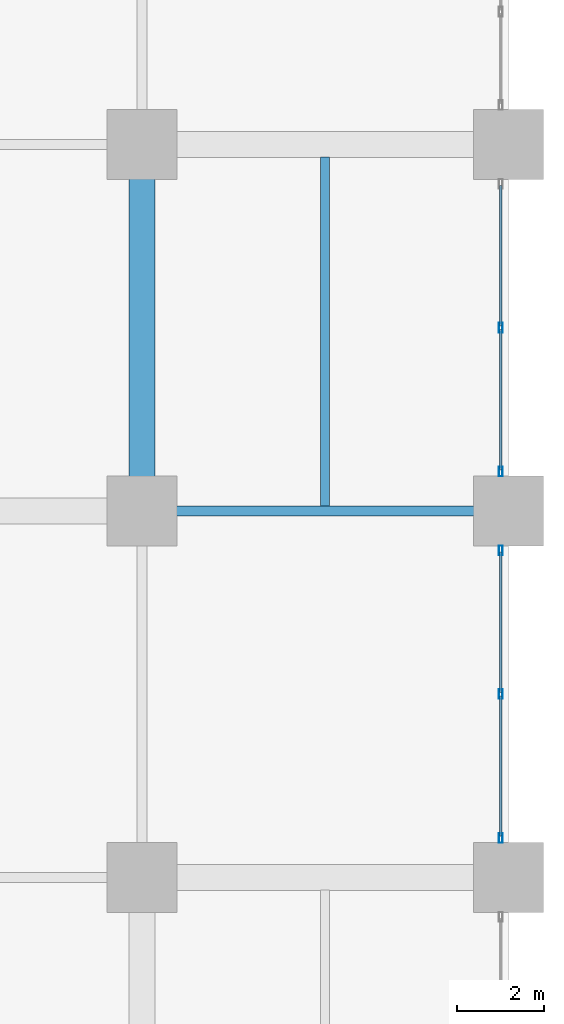
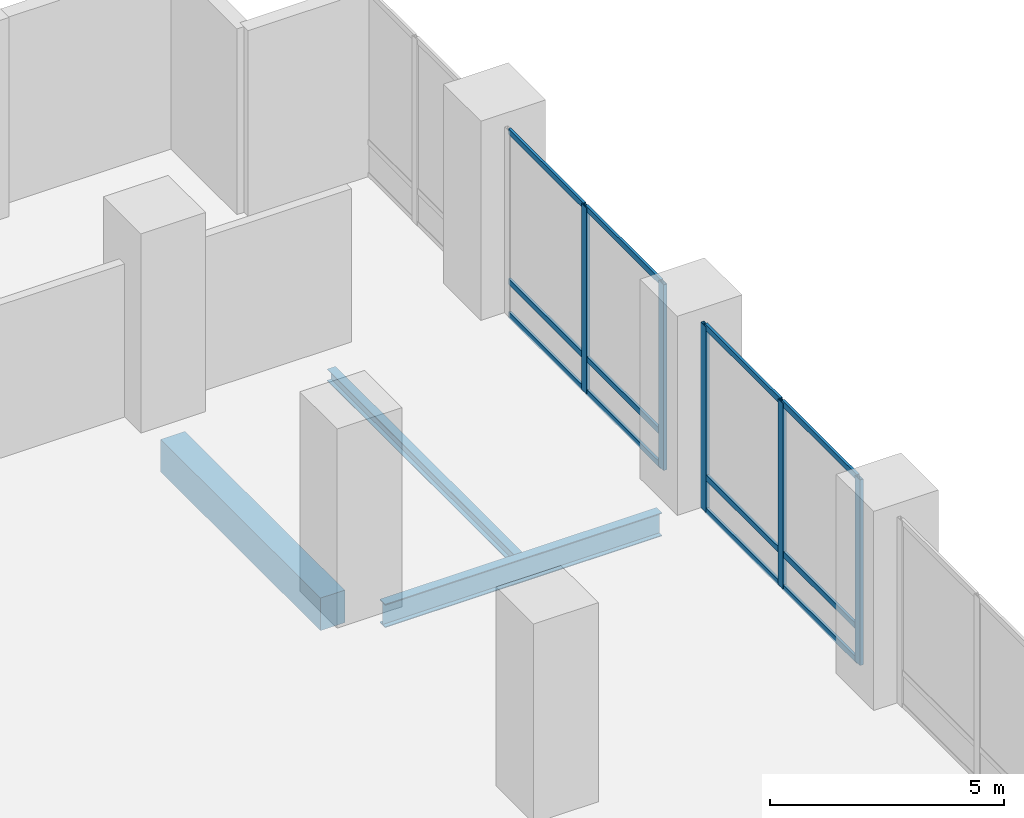
# One storey, part 5 of 19: 17 members, 3 beams, 2 elements without a shape of their own.
"""IFC4 building model written with IfcOpenShell, lengths in metres."""

from ifc_helpers import new_model, si_unit, direction, frame, origin, origin_2d, place, context, subcontext, project, spatial, rectangle, hollow_rectangle, i_section, extrude, material, layer, layer_set, material_profile, profile_set, type_object, element, aggregate, save


model = new_model("IFC4")

# Units and contexts
model_context = context("Model", 3, precision=1e-05, world=origin(), true_north=direction((0.0, 1.0)))
body_context = subcontext(model_context, "Body", "Model", "MODEL_VIEW")
ifc_project = project(units=[si_unit("LENGTHUNIT", "METRE"), si_unit("AREAUNIT", "SQUARE_METRE"), si_unit("VOLUMEUNIT", "CUBIC_METRE"), si_unit("PLANEANGLEUNIT", "RADIAN"), si_unit("MASSUNIT", "GRAM", prefix="KILO")], contexts=[model_context])

# Site, building, storey
site_placement = place(None, origin())
site = spatial("IfcSite", under=ifc_project, at=site_placement, CompositionType="ELEMENT")
building_placement = place(site_placement, origin())
building = spatial("IfcBuilding", under=site, at=building_placement, Name="Koriwani Terraces Tower", CompositionType="ELEMENT")
storey_placement = place(building_placement, frame((0.0, 0.0, 15.60009765625)))
storey = spatial("IfcBuildingStorey", under=building, at=storey_placement, Name="L03", CompositionType="ELEMENT", Elevation=15.60009765625)

# Beam
ifc_material_1 = material(Name="Concrete C60/75", Category="concrete")
ifc_material_profile_1 = material_profile(ifc_material_1, rectangle(XDim=0.60009765625, YDim=0.85009765625, at=origin_2d()), Name="Concrete C60/75", Category="LoadBearing")
ifc_profile_set_1 = profile_set([ifc_material_profile_1], Name="Concrete C60/75")
beam_type_1 = type_object("IfcBeamType", Name="BEAM_RC_GRID_600X850", PredefinedType="BEAM", material=ifc_profile_set_1)
beam_1_placement = place(storey_placement, frame((84.0, 25.97998046875, -0.775146484375), z_axis=(0.0, 1.0, 0.0), x_axis=(-1.0, 0.0, 0.0)))
element("IfcBeam", 1, at=beam_1_placement, inside=storey, type_object=beam_type_1, Name="L03 Grid Beam 11 (25.2-33.6m)", PredefinedType="BEAM", context=body_context, shape_type="SweptSolid", body=[
    extrude(rectangle(XDim=0.60009765625, YDim=0.85009765625, at=origin_2d()), origin(), (0.0, 0.0, 1.0), 6.840087890625),
])

# Curtain wall, members
ifc_material_2 = material(Name="Anodised Bronze Aluminium", Category="aluminium")
ifc_layer = layer(ifc_material_2, 0.199951171875, Name="Anodised Bronze Aluminium")
ifc_layer_set = layer_set([ifc_layer], Name="Anodised Bronze Aluminium")
curtain_wall_type = type_object("IfcCurtainWallType", Name="CW_PODIUM_GALLERIA", PredefinedType="NOTDEFINED", material=ifc_layer_set)
curtain_wall_1_placement = place(storey_placement, origin())
curtain_wall_1 = element("IfcCurtainWall", 2, at=curtain_wall_1_placement, inside=storey, type_object=curtain_wall_type, Name="L03 Unitised Curtain Wall (E_TIP) Bay 2", PredefinedType="NOTDEFINED")
ifc_material_profile_2 = material_profile(ifc_material_2, hollow_rectangle(XDim=0.0849609375, YDim=0.219970703125, WallThickness=0.008056640625, at=origin_2d()), Name="Anodised Bronze Aluminium", Category="LoadBearing")
ifc_profile_set_2 = profile_set([ifc_material_profile_2], Name="Anodised Bronze Aluminium")
member_type_1 = type_object("IfcMemberType", Name="CW_MULLION_220X85", PredefinedType="MULLION", material=ifc_profile_set_2)
member_1_placement = place(storey_placement, frame((92.22509765625, 29.39990234375, 0.0), z_axis=(0.0, 0.0, 1.0), x_axis=(1.0, 0.0, 0.0)))
member_1 = element("IfcMember", 3, at=member_1_placement, type_object=member_type_1, Name="CW-POD mullion 2", PredefinedType="MULLION", context=body_context, shape_type="SweptSolid", body=[
    extrude(hollow_rectangle(XDim=0.0849609375, YDim=0.219970703125, WallThickness=0.008056640625, at=origin_2d()), origin(), (0.0, 0.0, 1.0), 4.849853515625),
])
member_2_placement = place(storey_placement, frame((92.22509765625, 26.1025390625, 0.0), z_axis=(0.0, 0.0, 1.0), x_axis=(1.0, 0.0, 0.0)))
member_2 = element("IfcMember", 4, at=member_2_placement, type_object=member_type_1, Name="CW-POD mullion 3", PredefinedType="MULLION", context=body_context, shape_type="SweptSolid", body=[
    extrude(hollow_rectangle(XDim=0.0849609375, YDim=0.219970703125, WallThickness=0.008056640625, at=origin_2d()), origin(), (0.0, 0.0, 1.0), 4.849853515625),
])

curtain_wall_2_placement = place(storey_placement, origin())
curtain_wall_2 = element("IfcCurtainWall", 5, at=curtain_wall_2_placement, inside=storey, type_object=curtain_wall_type, Name="L03 Unitised Curtain Wall (E_TIP) Bay 3", PredefinedType="NOTDEFINED")
member_3_placement = place(storey_placement, frame((92.22509765625, 24.297607421875, 0.0), z_axis=(0.0, 0.0, 1.0), x_axis=(1.0, 0.0, 0.0)))
member_3 = element("IfcMember", 6, at=member_3_placement, type_object=member_type_1, Name="CW-POD mullion 1", PredefinedType="MULLION", context=body_context, shape_type="SweptSolid", body=[
    extrude(hollow_rectangle(XDim=0.0849609375, YDim=0.219970703125, WallThickness=0.008056640625, at=origin_2d()), origin(), (0.0, 0.0, 1.0), 4.849853515625),
])
member_4_placement = place(storey_placement, frame((92.22509765625, 21.0, 0.0), z_axis=(0.0, 0.0, 1.0), x_axis=(1.0, 0.0, 0.0)))
member_4 = element("IfcMember", 7, at=member_4_placement, type_object=member_type_1, Name="CW-POD mullion 2", PredefinedType="MULLION", context=body_context, shape_type="SweptSolid", body=[
    extrude(hollow_rectangle(XDim=0.0849609375, YDim=0.219970703125, WallThickness=0.008056640625, at=origin_2d()), origin(), (0.0, 0.0, 1.0), 4.849853515625),
])
member_5_placement = place(storey_placement, frame((92.22509765625, 17.702392578125, 0.0), z_axis=(0.0, 0.0, 1.0), x_axis=(1.0, 0.0, 0.0)))
member_5 = element("IfcMember", 8, at=member_5_placement, type_object=member_type_1, Name="CW-POD mullion 3", PredefinedType="MULLION", context=body_context, shape_type="SweptSolid", body=[
    extrude(hollow_rectangle(XDim=0.0849609375, YDim=0.219970703125, WallThickness=0.008056640625, at=origin_2d()), origin(), (0.0, 0.0, 1.0), 4.849853515625),
])

# Member
ifc_material_profile_3 = material_profile(ifc_material_2, hollow_rectangle(XDim=0.06494140625, YDim=0.14990234375, WallThickness=0.0048828125, at=origin_2d()), Name="Anodised Bronze Aluminium", Category="LoadBearing")
ifc_profile_set_3 = profile_set([ifc_material_profile_3], Name="Anodised Bronze Aluminium")
member_type_2 = type_object("IfcMemberType", Name="CW_TRANSOM_150X65", PredefinedType="USERDEFINED", material=ifc_profile_set_3)
member_6_placement = place(storey_placement, frame((92.22509765625, 32.655029296875, 0.032470703125), z_axis=(0.0, -1.0, 0.0), x_axis=(1.0, 0.0, 0.0)))
member_6 = element("IfcMember", 9, at=member_6_placement, type_object=member_type_2, Name="CW-POD transom 1.1", ObjectType="TRANSOM", PredefinedType="USERDEFINED", context=body_context, shape_type="SweptSolid", body=[
    extrude(hollow_rectangle(XDim=0.06494140625, YDim=0.14990234375, WallThickness=0.0048828125, at=origin_2d()), origin(), (0.0, 0.0, 1.0), 3.212646484375),
])

member_7_placement = place(storey_placement, frame((92.22509765625, 32.655029296875, 0.89990234375), z_axis=(0.0, -1.0, 0.0), x_axis=(1.0, 0.0, 0.0)))
member_7 = element("IfcMember", 10, at=member_7_placement, type_object=member_type_2, Name="CW-POD transom 1.2", ObjectType="TRANSOM", PredefinedType="USERDEFINED", context=body_context, shape_type="SweptSolid", body=[
    extrude(hollow_rectangle(XDim=0.06494140625, YDim=0.14990234375, WallThickness=0.0048828125, at=origin_2d()), origin(), (0.0, 0.0, 1.0), 3.212646484375),
])

member_8_placement = place(storey_placement, frame((92.22509765625, 32.655029296875, 4.8173828125), z_axis=(0.0, -1.0, 0.0), x_axis=(1.0, 0.0, 0.0)))
member_8 = element("IfcMember", 11, at=member_8_placement, type_object=member_type_2, Name="CW-POD transom 1.3", ObjectType="TRANSOM", PredefinedType="USERDEFINED", context=body_context, shape_type="SweptSolid", body=[
    extrude(hollow_rectangle(XDim=0.06494140625, YDim=0.14990234375, WallThickness=0.0048828125, at=origin_2d()), origin(), (0.0, 0.0, 1.0), 3.212646484375),
])

member_9_placement = place(storey_placement, frame((92.22509765625, 29.357421875, 0.032470703125), z_axis=(0.0, -1.0, 0.0), x_axis=(1.0, 0.0, 0.0)))
member_9 = element("IfcMember", 12, at=member_9_placement, type_object=member_type_2, Name="CW-POD transom 2.1", ObjectType="TRANSOM", PredefinedType="USERDEFINED", context=body_context, shape_type="SweptSolid", body=[
    extrude(hollow_rectangle(XDim=0.06494140625, YDim=0.14990234375, WallThickness=0.0048828125, at=origin_2d()), origin(), (0.0, 0.0, 1.0), 3.21240234375),
])

member_10_placement = place(storey_placement, frame((92.22509765625, 29.357421875, 0.89990234375), z_axis=(0.0, -1.0, 0.0), x_axis=(1.0, 0.0, 0.0)))
member_10 = element("IfcMember", 13, at=member_10_placement, type_object=member_type_2, Name="CW-POD transom 2.2", ObjectType="TRANSOM", PredefinedType="USERDEFINED", context=body_context, shape_type="SweptSolid", body=[
    extrude(hollow_rectangle(XDim=0.06494140625, YDim=0.14990234375, WallThickness=0.0048828125, at=origin_2d()), origin(), (0.0, 0.0, 1.0), 3.21240234375),
])

member_11_placement = place(storey_placement, frame((92.22509765625, 29.357421875, 4.8173828125), z_axis=(0.0, -1.0, 0.0), x_axis=(1.0, 0.0, 0.0)))
member_11 = element("IfcMember", 14, at=member_11_placement, type_object=member_type_2, Name="CW-POD transom 2.3", ObjectType="TRANSOM", PredefinedType="USERDEFINED", context=body_context, shape_type="SweptSolid", body=[
    extrude(hollow_rectangle(XDim=0.06494140625, YDim=0.14990234375, WallThickness=0.0048828125, at=origin_2d()), origin(), (0.0, 0.0, 1.0), 3.21240234375),
])

aggregate(curtain_wall_1, [member_1, member_2, member_6, member_7, member_8, member_9, member_10, member_11])

member_12_placement = place(storey_placement, frame((92.22509765625, 24.2548828125, 0.032470703125), z_axis=(0.0, -1.0, 0.0), x_axis=(1.0, 0.0, 0.0)))
member_12 = element("IfcMember", 15, at=member_12_placement, type_object=member_type_2, Name="CW-POD transom 1.1", ObjectType="TRANSOM", PredefinedType="USERDEFINED", context=body_context, shape_type="SweptSolid", body=[
    extrude(hollow_rectangle(XDim=0.06494140625, YDim=0.14990234375, WallThickness=0.0048828125, at=origin_2d()), origin(), (0.0, 0.0, 1.0), 3.21240234375),
])

member_13_placement = place(storey_placement, frame((92.22509765625, 24.2548828125, 0.89990234375), z_axis=(0.0, -1.0, 0.0), x_axis=(1.0, 0.0, 0.0)))
member_13 = element("IfcMember", 16, at=member_13_placement, type_object=member_type_2, Name="CW-POD transom 1.2", ObjectType="TRANSOM", PredefinedType="USERDEFINED", context=body_context, shape_type="SweptSolid", body=[
    extrude(hollow_rectangle(XDim=0.06494140625, YDim=0.14990234375, WallThickness=0.0048828125, at=origin_2d()), origin(), (0.0, 0.0, 1.0), 3.21240234375),
])

member_14_placement = place(storey_placement, frame((92.22509765625, 24.2548828125, 4.8173828125), z_axis=(0.0, -1.0, 0.0), x_axis=(1.0, 0.0, 0.0)))
member_14 = element("IfcMember", 17, at=member_14_placement, type_object=member_type_2, Name="CW-POD transom 1.3", ObjectType="TRANSOM", PredefinedType="USERDEFINED", context=body_context, shape_type="SweptSolid", body=[
    extrude(hollow_rectangle(XDim=0.06494140625, YDim=0.14990234375, WallThickness=0.0048828125, at=origin_2d()), origin(), (0.0, 0.0, 1.0), 3.21240234375),
])

member_15_placement = place(storey_placement, frame((92.22509765625, 20.95751953125, 0.032470703125), z_axis=(0.0, -1.0, 0.0), x_axis=(1.0, 0.0, 0.0)))
member_15 = element("IfcMember", 18, at=member_15_placement, type_object=member_type_2, Name="CW-POD transom 2.1", ObjectType="TRANSOM", PredefinedType="USERDEFINED", context=body_context, shape_type="SweptSolid", body=[
    extrude(hollow_rectangle(XDim=0.06494140625, YDim=0.14990234375, WallThickness=0.0048828125, at=origin_2d()), origin(), (0.0, 0.0, 1.0), 3.21240234375),
])

member_16_placement = place(storey_placement, frame((92.22509765625, 20.95751953125, 0.89990234375), z_axis=(0.0, -1.0, 0.0), x_axis=(1.0, 0.0, 0.0)))
member_16 = element("IfcMember", 19, at=member_16_placement, type_object=member_type_2, Name="CW-POD transom 2.2", ObjectType="TRANSOM", PredefinedType="USERDEFINED", context=body_context, shape_type="SweptSolid", body=[
    extrude(hollow_rectangle(XDim=0.06494140625, YDim=0.14990234375, WallThickness=0.0048828125, at=origin_2d()), origin(), (0.0, 0.0, 1.0), 3.21240234375),
])

member_17_placement = place(storey_placement, frame((92.22509765625, 20.95751953125, 4.8173828125), z_axis=(0.0, -1.0, 0.0), x_axis=(1.0, 0.0, 0.0)))
member_17 = element("IfcMember", 20, at=member_17_placement, type_object=member_type_2, Name="CW-POD transom 2.3", ObjectType="TRANSOM", PredefinedType="USERDEFINED", context=body_context, shape_type="SweptSolid", body=[
    extrude(hollow_rectangle(XDim=0.06494140625, YDim=0.14990234375, WallThickness=0.0048828125, at=origin_2d()), origin(), (0.0, 0.0, 1.0), 3.21240234375),
])

aggregate(curtain_wall_2, [member_3, member_4, member_5, member_12, member_13, member_14, member_15, member_16, member_17])

# Beams
ifc_material_3 = material(Name="Steel ASTM A572 Grade 50", Category="steel")
ifc_material_profile_4 = material_profile(ifc_material_3, i_section(OverallWidth=0.205078125, OverallDepth=0.31005859375, WebThickness=0.009521484375, FlangeThickness=0.016357421875, at=origin_2d()), Name="Steel ASTM A572 Grade 50", Category="LoadBearing")
ifc_profile_set_4 = profile_set([ifc_material_profile_4], Name="Steel ASTM A572 Grade 50")
beam_type_2 = type_object("IfcBeamType", Name="STEEL_BEAM_W310X74", PredefinedType="JOIST", material=ifc_profile_set_4)
beam_2_placement = place(storey_placement, frame((88.199951171875, 25.304443359375, -0.505126953125), z_axis=(0.0, 1.0, 0.0), x_axis=(-1.0, 0.0, 0.0)))
element("IfcBeam", 21, at=beam_2_placement, inside=storey, type_object=beam_type_2, Name="L03 Secondary Steel Floor Joist X=88.2m", PredefinedType="JOIST", context=body_context, shape_type="SweptSolid", body=[
    extrude(i_section(OverallWidth=0.205078125, OverallDepth=0.31005859375, WebThickness=0.009521484375, FlangeThickness=0.016357421875, at=origin_2d()), origin(), (0.0, 0.0, 1.0), 8.005615234375),
])
ifc_material_profile_5 = material_profile(ifc_material_3, i_section(OverallWidth=0.22900390625, OverallDepth=0.611083984375, WebThickness=0.0126953125, FlangeThickness=0.022216796875, at=origin_2d()), Name="Steel ASTM A572 Grade 50", Category="LoadBearing")
ifc_profile_set_5 = profile_set([ifc_material_profile_5], Name="Steel ASTM A572 Grade 50")
beam_type_3 = type_object("IfcBeamType", Name="STEEL_BEAM_W610X155", PredefinedType="BEAM", material=ifc_profile_set_5)
beam_3_placement = place(storey_placement, frame((84.780029296875, 25.199951171875, -0.655517578125), z_axis=(1.0, 0.0, 0.0), x_axis=(0.0, 1.0, 0.0)))
element("IfcBeam", 22, at=beam_3_placement, inside=storey, type_object=beam_type_3, Name="L03 Grid Beam D (84.0-92.4m)", PredefinedType="BEAM", context=body_context, shape_type="SweptSolid", body=[
    extrude(i_section(OverallWidth=0.22900390625, OverallDepth=0.611083984375, WebThickness=0.0126953125, FlangeThickness=0.022216796875, at=origin_2d()), origin(), (0.0, 0.0, 1.0), 6.840087890625),
])

save(model, "model.ifc")
